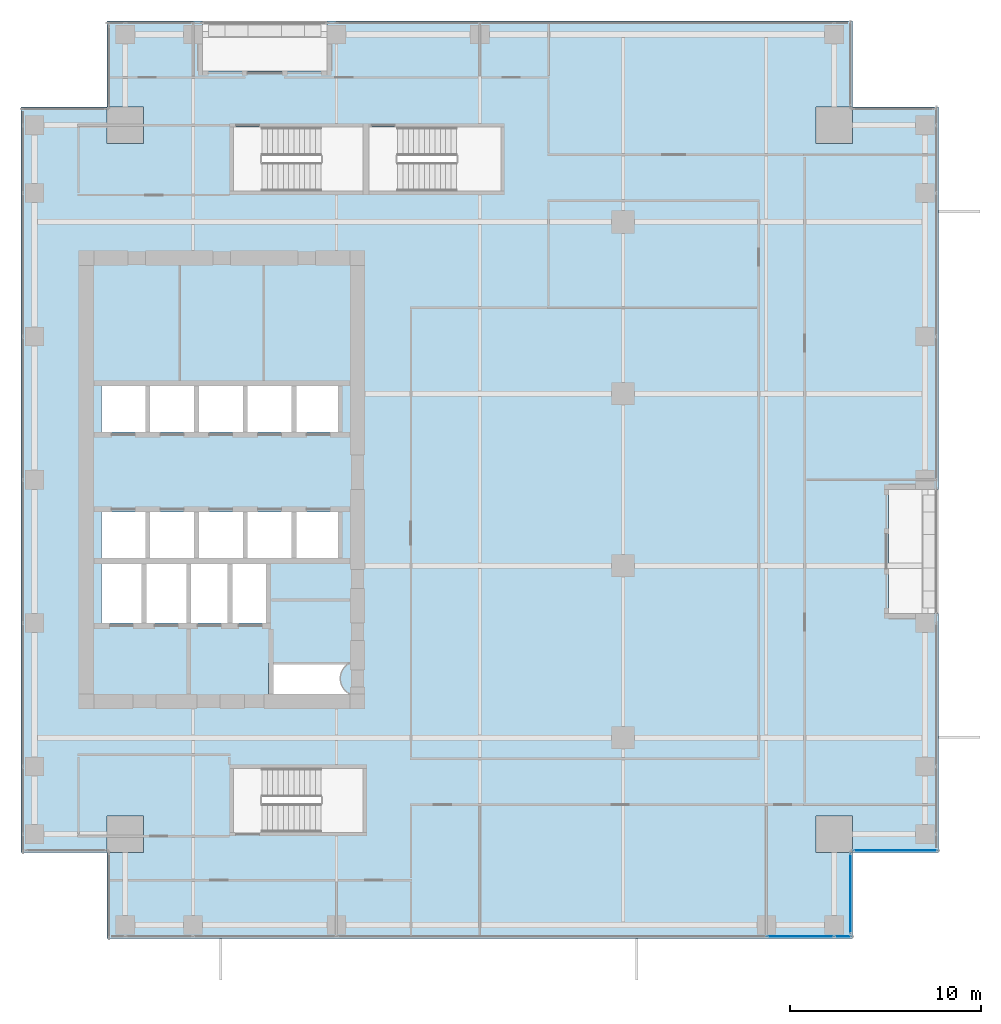
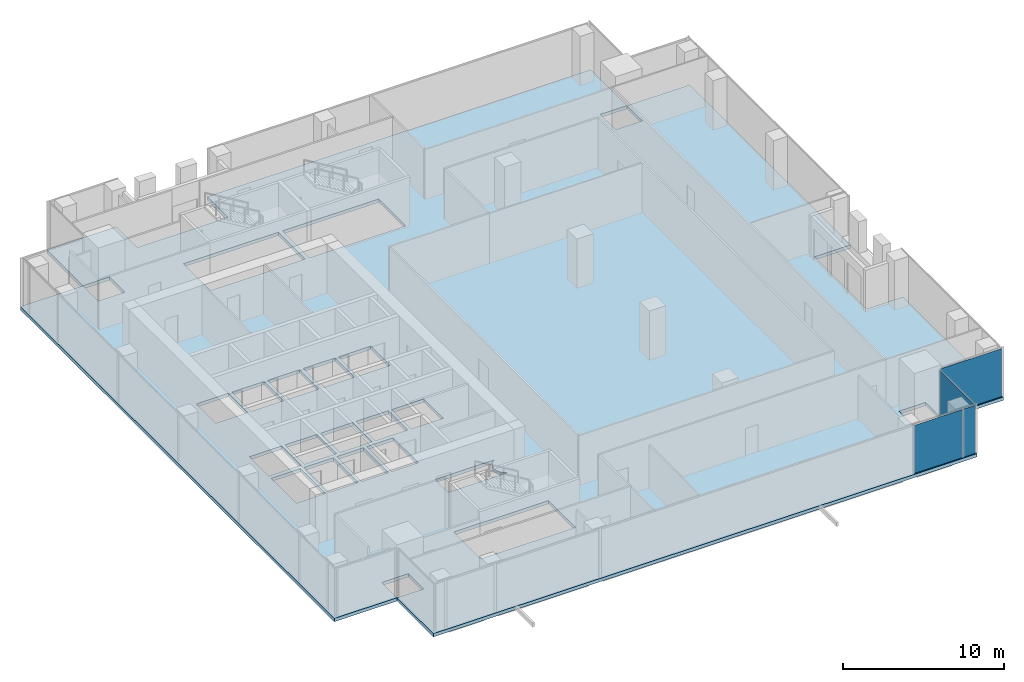
# One storey, part 30 of 40: 4 plates, 1 slab, 3 elements without a shape of their own.
"""IFC4 building model written with IfcOpenShell, lengths in metres."""

from ifc_helpers import new_model, si_unit, direction, frame, origin, origin_2d, place, context, subcontext, project, spatial, polyline, rectangle, outline, extrude, source, transform, mapped, material, layer, layer_set, type_object, element, aggregate, save


model = new_model("IFC4")

# Units and contexts
model_context = context("Model", 3, precision=1e-05, world=origin(), true_north=direction((0.0, 1.0)))
body_context = subcontext(model_context, "Body", "Model", "MODEL_VIEW")
ifc_project = project(units=[si_unit("LENGTHUNIT", "METRE"), si_unit("AREAUNIT", "SQUARE_METRE"), si_unit("VOLUMEUNIT", "CUBIC_METRE"), si_unit("PLANEANGLEUNIT", "RADIAN"), si_unit("MASSUNIT", "GRAM", prefix="KILO")], contexts=[model_context])

# Site, building, storey
site_placement = place(None, origin())
site = spatial("IfcSite", under=ifc_project, at=site_placement, CompositionType="ELEMENT")
building_placement = place(site_placement, origin())
building = spatial("IfcBuilding", under=site, at=building_placement, Name="Khomas Fold Tower", CompositionType="ELEMENT")
storey_placement = place(building_placement, frame((0.0, 0.0, 204.699951171875)))
storey = spatial("IfcBuildingStorey", under=building, at=storey_placement, Name="L45", CompositionType="ELEMENT", Elevation=204.699951171875)

# Slab
ifc_material_1 = material(Name="Concrete C40/50", Category="concrete")
ifc_layer_1 = layer(ifc_material_1, 0.25)
ifc_layer_set_1 = layer_set([ifc_layer_1], Name="Concrete C40/50")
slab_type = type_object("IfcSlabType", Name="RC floor slab 250", PredefinedType="FLOOR", material=ifc_layer_set_1)
shared_shape_1 = source(origin(), body_context, "Body", "SweptSolid", [
    extrude(outline(polyline([(3.0, 7.5), (7.4951171875, 7.5), (7.4951171875, 9.405029296875), (9.405029296875, 9.405029296875), (9.405029296875, 7.4951171875), (7.5, 7.4951171875), (7.5, 3.0), (46.5, 3.0), (46.5, 7.4951171875), (44.594970703125, 7.4951171875), (44.594970703125, 9.405029296875), (46.5048828125, 9.405029296875), (46.5048828125, 7.5), (51.0, 7.5), (51.0, 20.0), (48.39990234375, 20.0), (48.39990234375, 26.5), (51.0, 26.5), (51.0, 46.5), (46.5048828125, 46.5), (46.5048828125, 44.594970703125), (44.594970703125, 44.594970703125), (44.594970703125, 46.5048828125), (46.5, 46.5048828125), (46.5, 51.0), (19.0, 51.0), (19.0, 48.39990234375), (12.5, 48.39990234375), (12.5, 51.0), (7.5, 51.0), (7.5, 46.5048828125), (9.405029296875, 46.5048828125), (9.405029296875, 44.594970703125), (7.4951171875, 44.594970703125), (7.4951171875, 46.5), (3.0, 46.5), (3.0, 7.5)]), holes=[polyline([(7.199951171875, 19.5), (7.199951171875, 22.60009765625), (9.300048828125, 22.60009765625), (9.300048828125, 19.5), (7.199951171875, 19.5)]), polyline([(7.199951171875, 22.89990234375), (7.199951171875, 25.300048828125), (9.5, 25.300048828125), (9.5, 22.89990234375), (7.199951171875, 22.89990234375)]), polyline([(7.199951171875, 29.5), (7.199951171875, 31.89990234375), (9.5, 31.89990234375), (9.5, 29.5), (7.199951171875, 29.5)]), polyline([(9.550048828125, 19.5), (9.550048828125, 22.60009765625), (11.64990234375, 22.60009765625), (11.64990234375, 19.5), (9.550048828125, 19.5)]), polyline([(9.75, 22.89990234375), (9.75, 25.300048828125), (12.050048828125, 25.300048828125), (12.050048828125, 22.89990234375), (9.75, 22.89990234375)]), polyline([(9.75, 29.5), (9.75, 31.89990234375), (12.050048828125, 31.89990234375), (12.050048828125, 29.5), (9.75, 29.5)]), polyline([(11.89990234375, 19.5), (11.89990234375, 22.60009765625), (13.800048828125, 22.60009765625), (13.800048828125, 19.5), (11.89990234375, 19.5)]), polyline([(12.300048828125, 22.89990234375), (12.300048828125, 25.300048828125), (14.60009765625, 25.300048828125), (14.60009765625, 22.89990234375), (12.300048828125, 22.89990234375)]), polyline([(12.300048828125, 29.5), (12.300048828125, 31.89990234375), (14.60009765625, 31.89990234375), (14.60009765625, 29.5), (12.300048828125, 29.5)]), polyline([(14.050048828125, 19.5), (14.050048828125, 22.60009765625), (15.949951171875, 22.60009765625), (15.949951171875, 19.5), (14.050048828125, 19.5)]), polyline([(14.10009765625, 8.550048828125), (14.10009765625, 11.89990234375), (20.89990234375, 11.89990234375), (20.89990234375, 8.550048828125), (14.10009765625, 8.550048828125)]), polyline([(14.10009765625, 42.10009765625), (14.10009765625, 45.449951171875), (20.89990234375, 45.449951171875), (20.89990234375, 42.10009765625), (14.10009765625, 42.10009765625)]), polyline([(14.85009765625, 22.89990234375), (14.85009765625, 25.300048828125), (17.14990234375, 25.300048828125), (17.14990234375, 22.89990234375), (14.85009765625, 22.89990234375)]), polyline([(14.85009765625, 29.5), (14.85009765625, 31.89990234375), (17.14990234375, 31.89990234375), (17.14990234375, 29.5), (14.85009765625, 29.5)]), polyline([(15.949951171875, 15.800048828125), (15.949951171875, 17.39990234375), (20.18896484375, 17.39990234375), (20.17578125, 17.393798828125), (20.10009765625, 17.348388671875), (20.029052734375, 17.295654296875), (19.963623046875, 17.236328125), (19.904296875, 17.1708984375), (19.851806640625, 17.10009765625), (19.806396484375, 17.0244140625), (19.7685546875, 16.9443359375), (19.73876953125, 16.861328125), (19.71728515625, 16.775634765625), (19.704345703125, 16.688232421875), (19.699951171875, 16.60009765625), (19.704345703125, 16.51171875), (19.71728515625, 16.42431640625), (19.73876953125, 16.338623046875), (19.7685546875, 16.255615234375), (19.806396484375, 16.17578125), (19.851806640625, 16.10009765625), (19.904296875, 16.029052734375), (19.963623046875, 15.963623046875), (20.029052734375, 15.904296875), (20.10009765625, 15.851806640625), (20.17578125, 15.806396484375), (20.18896484375, 15.800048828125), (15.949951171875, 15.800048828125)]), polyline([(17.39990234375, 22.89990234375), (17.39990234375, 25.300048828125), (19.699951171875, 25.300048828125), (19.699951171875, 22.89990234375), (17.39990234375, 22.89990234375)]), polyline([(17.39990234375, 29.5), (17.39990234375, 31.89990234375), (19.699951171875, 31.89990234375), (19.699951171875, 29.5), (17.39990234375, 29.5)]), polyline([(21.199951171875, 42.10009765625), (21.199951171875, 45.449951171875), (28.10009765625, 45.449951171875), (28.10009765625, 42.10009765625), (21.199951171875, 42.10009765625)])]), origin(), (0.0, 0.0, 1.0), 0.25),
])
slab_placement = place(storey_placement, frame((0.0, 0.0, -0.25)))
element("IfcSlab", 1, at=slab_placement, inside=storey, type_object=slab_type, Name="S-L45", PredefinedType="FLOOR", context=body_context, shape_type="MappedRepresentation", body=[
    mapped(shared_shape_1, transform((0.0, 0.0, 0.0))),
])

# Curtain wall, plate
ifc_material_2 = material(Name="Aluminium framed double glazing", Category="aluminium")
curtain_wall_type = type_object("IfcCurtainWallType", Name="SK-Unitised clear-glass wall, office floors CW2", PredefinedType="NOTDEFINED", material=ifc_material_2)
curtain_wall_1_placement = place(storey_placement, origin())
curtain_wall_1 = element("IfcCurtainWall", 2, at=curtain_wall_1_placement, inside=storey, type_object=curtain_wall_type, Name="CW2 corner return L45 02", PredefinedType="NOTDEFINED")
ifc_material_3 = material(Name="Clear double glazed unit")
ifc_layer_2 = layer(ifc_material_3, 0.030029296875)
ifc_layer_set_2 = layer_set([ifc_layer_2], Name="Clear double glazed unit")
plate_type = type_object("IfcPlateType", Name="SK-Unitised clear-glass wall, office floors glass panel CW2-P", PredefinedType="CURTAIN_PANEL", material=ifc_layer_set_2)
shared_shape_2 = source(origin(), body_context, "Body", "SweptSolid", [
    extrude(rectangle(XDim=4.3798828125, YDim=0.030029296875, at=origin_2d()), origin(), (0.0, 0.0, 1.0), 3.639892578125),
])
plate_1_placement = place(storey_placement, frame((48.75, 7.60009765625, 0.0), z_axis=(0.0, 0.0, 1.0), x_axis=(1.0, 0.0, 0.0)))
plate_1 = element("IfcPlate", 3, at=plate_1_placement, type_object=plate_type, Name="CW2 glass panel 1", PredefinedType="CURTAIN_PANEL", context=body_context, shape_type="MappedRepresentation", body=[
    mapped(shared_shape_2, transform((0.0, 0.0, 0.0))),
])
aggregate(curtain_wall_1, [plate_1])

curtain_wall_2_placement = place(storey_placement, origin())
curtain_wall_2 = element("IfcCurtainWall", 4, at=curtain_wall_2_placement, inside=storey, type_object=curtain_wall_type, Name="CW2 run L45 00-0", PredefinedType="NOTDEFINED")
shared_shape_3 = source(origin(), body_context, "Body", "SweptSolid", [
    extrude(rectangle(XDim=3.489990234375, YDim=0.030029296875, at=origin_2d()), origin(), (0.0, 0.0, 1.0), 3.639892578125),
])
plate_2_placement = place(storey_placement, frame((43.77490234375, 3.10009765625, 0.0), z_axis=(0.0, 0.0, 1.0), x_axis=(1.0, 0.0, 0.0)))
plate_2 = element("IfcPlate", 5, at=plate_2_placement, type_object=plate_type, Name="CW2 glass panel 5", PredefinedType="CURTAIN_PANEL", context=body_context, shape_type="MappedRepresentation", body=[
    mapped(shared_shape_3, transform((0.0, 0.0, 0.0))),
])

curtain_wall_3_placement = place(storey_placement, origin())
curtain_wall_3 = element("IfcCurtainWall", 6, at=curtain_wall_3_placement, inside=storey, type_object=curtain_wall_type, Name="CW2 corner return L45 01", PredefinedType="NOTDEFINED")
shared_shape_4 = source(origin(), body_context, "Body", "SweptSolid", [
    extrude(rectangle(XDim=4.179931640625, YDim=0.030029296875, at=origin_2d()), origin(), (0.0, 0.0, 1.0), 3.639892578125),
])
plate_3_placement = place(storey_placement, frame((46.39990234375, 5.35009765625, 0.0), z_axis=(0.0, 0.0, 1.0), x_axis=(0.0, 1.0, 0.0)))
plate_3 = element("IfcPlate", 7, at=plate_3_placement, type_object=plate_type, Name="CW2 glass panel 1", PredefinedType="CURTAIN_PANEL", context=body_context, shape_type="MappedRepresentation", body=[
    mapped(shared_shape_4, transform((0.0, 0.0, 0.0))),
])
aggregate(curtain_wall_3, [plate_3])

# Plate
shared_shape_5 = source(origin(), body_context, "Body", "SweptSolid", [
    extrude(rectangle(XDim=0.860107421875, YDim=0.030029296875, at=origin_2d()), origin(), (0.0, 0.0, 1.0), 3.639892578125),
])
plate_4_placement = place(storey_placement, frame((46.010009765625, 3.10009765625, 0.0), z_axis=(0.0, 0.0, 1.0), x_axis=(1.0, 0.0, 0.0)))
plate_4 = element("IfcPlate", 8, at=plate_4_placement, type_object=plate_type, Name="CW2 glass panel 6", PredefinedType="CURTAIN_PANEL", context=body_context, shape_type="MappedRepresentation", body=[
    mapped(shared_shape_5, transform((0.0, 0.0, 0.0))),
])

aggregate(curtain_wall_2, [plate_2, plate_4])

save(model, "model.ifc")
